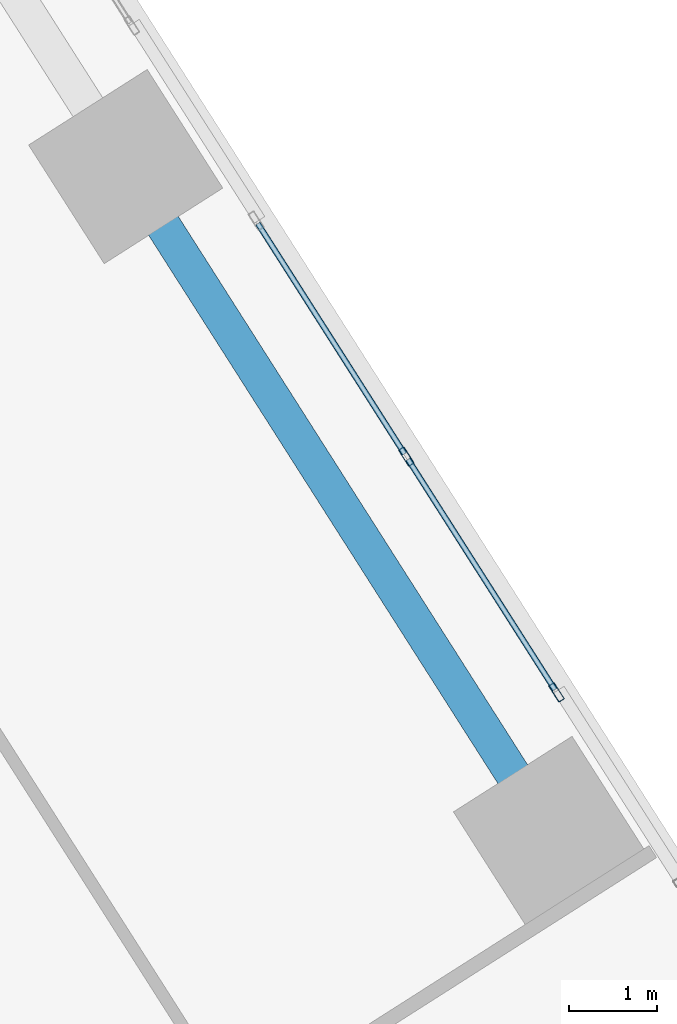
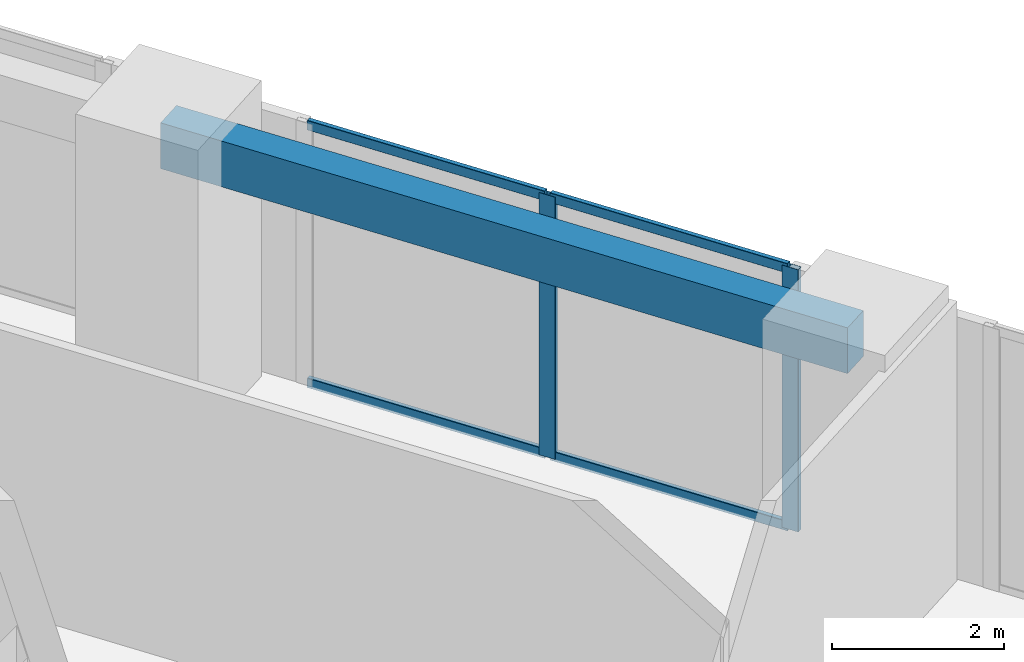
# One storey, part 6 of 14: 6 members, 1 beam, 1 element without a shape of its own.
"""IFC4 building model written with IfcOpenShell, lengths in metres."""

from ifc_helpers import new_model, si_unit, direction, frame, origin, origin_2d, place, context, subcontext, project, spatial, rectangle, hollow_rectangle, extrude, source, transform, mapped, material, material_profile, profile_set, type_object, element, aggregate, save


model = new_model("IFC4")

# Units and contexts
model_context = context("Model", 3, precision=1e-05, world=origin(), true_north=direction((0.0, 1.0)))
body_context = subcontext(model_context, "Body", "Model", "MODEL_VIEW")
ifc_project = project(units=[si_unit("LENGTHUNIT", "METRE"), si_unit("AREAUNIT", "SQUARE_METRE"), si_unit("VOLUMEUNIT", "CUBIC_METRE"), si_unit("PLANEANGLEUNIT", "RADIAN"), si_unit("MASSUNIT", "GRAM", prefix="KILO")], contexts=[model_context])

# Site, building, storey
site_placement = place(None, origin())
site = spatial("IfcSite", under=ifc_project, at=site_placement, CompositionType="ELEMENT")
building_placement = place(site_placement, origin())
building = spatial("IfcBuilding", under=site, at=building_placement, Name="Torre Montelarca", CompositionType="ELEMENT")
storey_placement = place(building_placement, frame((0.0, 0.0, 315.60009765625)))
storey = spatial("IfcBuildingStorey", under=building, at=storey_placement, Name="L71", CompositionType="ELEMENT", Elevation=315.60009765625)

# Beam
ifc_material_1 = material(Name="Concrete C40/50", Category="concrete")
ifc_material_profile_1 = material_profile(ifc_material_1, rectangle(XDim=0.39990234375, YDim=0.64990234375, at=origin_2d()), Name="RCB400X650", Category="concrete")
ifc_profile_set_1 = profile_set([ifc_material_profile_1], Name="Concrete C40/50")
beam_type = type_object("IfcBeamType", Name="BM-SP-RC650-EXT", PredefinedType="SPANDREL", material=ifc_profile_set_1)
shared_shape_1 = source(origin(), body_context, "Body", "SweptSolid", [
    extrude(rectangle(XDim=0.39990234375, YDim=0.64990234375, at=origin_2d()), origin(), (0.0, 0.0, 1.0), 9.0),
])
beam_placement = place(storey_placement, frame((32.396728515625, 43.092041015625, 3.635009765625), z_axis=(0.5372966855, -0.843393307865, 0.0), x_axis=(0.843393307865, 0.5372966855, 0.0)))
element("IfcBeam", 1, at=beam_placement, inside=storey, type_object=beam_type, Name="L71 Grid Girder X 18.0-27.0 at Y=47.1", PredefinedType="SPANDREL", context=body_context, shape_type="MappedRepresentation", body=[
    mapped(shared_shape_1, transform((0.0, 0.0, 0.0), scale=1.0)),
])

# Curtain wall, members
ifc_material_2 = material(Name="Insulated low-E laminated glass", Category="glass")
curtain_wall_type = type_object("IfcCurtainWallType", Name="CW-SYS-Z4", PredefinedType="USERDEFINED", material=ifc_material_2)
curtain_wall_placement = place(storey_placement, origin())
curtain_wall = element("IfcCurtainWall", 2, at=curtain_wall_placement, inside=storey, type_object=curtain_wall_type, Name="L71 Curtain Wall Run CW-T3-L71-E08-B2", ObjectType="UNITISED GLAZING", PredefinedType="USERDEFINED")
ifc_material_3 = material(Name="Anodised aluminium AA 6063-T6", Category="aluminium")
ifc_material_profile_2 = material_profile(ifc_material_3, hollow_rectangle(XDim=0.074951171875, YDim=0.219970703125, WallThickness=0.0048828125, InnerFilletRadius=0.0048828125, OuterFilletRadius=0.010009765625, at=origin_2d()), Name="ALU75X220X5", Category="aluminium")
ifc_profile_set_2 = profile_set([ifc_material_profile_2], Name="Anodised aluminium AA 6063-T6")
member_type_1 = type_object("IfcMemberType", Name="CWM-ALU220", PredefinedType="MULLION", material=ifc_profile_set_2)
shared_shape_2 = source(origin(), body_context, "Body", "SweptSolid", [
    extrude(hollow_rectangle(XDim=0.074951171875, YDim=0.219970703125, WallThickness=0.0048828125, InnerFilletRadius=0.0048828125, OuterFilletRadius=0.010009765625, at=origin_2d()), origin(), (0.0, 0.0, 1.0), 3.719970703125),
])
member_1_placement = place(storey_placement, frame((37.300537109375, 37.10693359375, 0.0), z_axis=(0.0, 0.0, 1.0), x_axis=(-0.843394761508, -0.537294403713, 0.0)))
member_1 = element("IfcMember", 3, at=member_1_placement, type_object=member_type_1, Name="CW mullion 1", PredefinedType="MULLION", context=body_context, shape_type="MappedRepresentation", body=[
    mapped(shared_shape_2, transform((0.0, 0.0, 0.0), scale=1.0)),
])
member_2_placement = place(storey_placement, frame((35.590576171875, 39.791015625, 0.0), z_axis=(0.0, 0.0, 1.0), x_axis=(-0.843394761508, -0.537294403713, 0.0)))
member_2 = element("IfcMember", 4, at=member_2_placement, type_object=member_type_1, Name="CW mullion 2", PredefinedType="MULLION", context=body_context, shape_type="MappedRepresentation", body=[
    mapped(shared_shape_2, transform((0.0, 0.0, 0.0), scale=1.0)),
])
ifc_material_profile_3 = material_profile(ifc_material_3, hollow_rectangle(XDim=0.06494140625, YDim=0.139892578125, WallThickness=0.00390625, InnerFilletRadius=0.00390625, OuterFilletRadius=0.008056640625, at=origin_2d()), Name="ALU65X140X4", Category="aluminium")
ifc_profile_set_3 = profile_set([ifc_material_profile_3], Name="Anodised aluminium AA 6063-T6")
member_type_2 = type_object("IfcMemberType", Name="CWT-ALU140", PredefinedType="USERDEFINED", material=ifc_profile_set_3)
shared_shape_3 = source(origin(), body_context, "Body", "SweptSolid", [
    extrude(hollow_rectangle(XDim=0.06494140625, YDim=0.139892578125, WallThickness=0.00390625, InnerFilletRadius=0.00390625, OuterFilletRadius=0.008056640625, at=origin_2d()), origin(), (0.0, 0.0, 1.0), 3.107421875),
])
member_3_placement = place(storey_placement, frame((37.280517578125, 37.138671875, 0.032470703125), z_axis=(-0.537302444451, 0.843389639009, 0.0), x_axis=(-0.843389639009, -0.537302444451, 0.0)))
member_3 = element("IfcMember", 5, at=member_3_placement, type_object=member_type_2, Name="CW transom 1.1", ObjectType="TRANSOM", PredefinedType="USERDEFINED", context=body_context, shape_type="MappedRepresentation", body=[
    mapped(shared_shape_3, transform((0.0, 0.0, 0.0), scale=1.0)),
])
member_4_placement = place(storey_placement, frame((37.280517578125, 37.138671875, 3.6875), z_axis=(-0.537302444451, 0.843389639009, 0.0), x_axis=(-0.843389639009, -0.537302444451, 0.0)))
member_4 = element("IfcMember", 6, at=member_4_placement, type_object=member_type_2, Name="CW transom 1.2", ObjectType="TRANSOM", PredefinedType="USERDEFINED", context=body_context, shape_type="MappedRepresentation", body=[
    mapped(shared_shape_3, transform((0.0, 0.0, 0.0), scale=1.0)),
])
member_5_placement = place(storey_placement, frame((35.570556640625, 39.82275390625, 0.032470703125), z_axis=(-0.537302444451, 0.843389639009, 0.0), x_axis=(-0.843389639009, -0.537302444451, 0.0)))
member_5 = element("IfcMember", 7, at=member_5_placement, type_object=member_type_2, Name="CW transom 2.1", ObjectType="TRANSOM", PredefinedType="USERDEFINED", context=body_context, shape_type="MappedRepresentation", body=[
    mapped(shared_shape_3, transform((0.0, 0.0, 0.0), scale=1.0)),
])
member_6_placement = place(storey_placement, frame((35.570556640625, 39.82275390625, 3.6875), z_axis=(-0.537302444451, 0.843389639009, 0.0), x_axis=(-0.843389639009, -0.537302444451, 0.0)))
member_6 = element("IfcMember", 8, at=member_6_placement, type_object=member_type_2, Name="CW transom 2.2", ObjectType="TRANSOM", PredefinedType="USERDEFINED", context=body_context, shape_type="MappedRepresentation", body=[
    mapped(shared_shape_3, transform((0.0, 0.0, 0.0), scale=1.0)),
])
aggregate(curtain_wall, [member_1, member_2, member_3, member_4, member_5, member_6])

save(model, "model.ifc")
